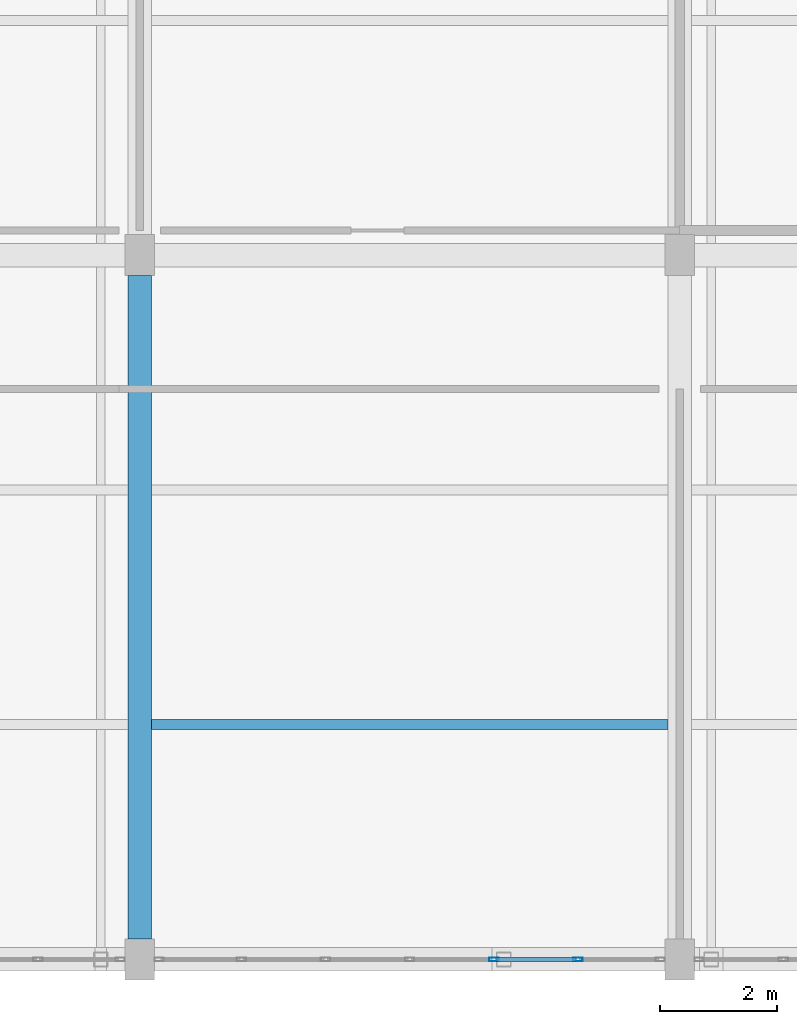
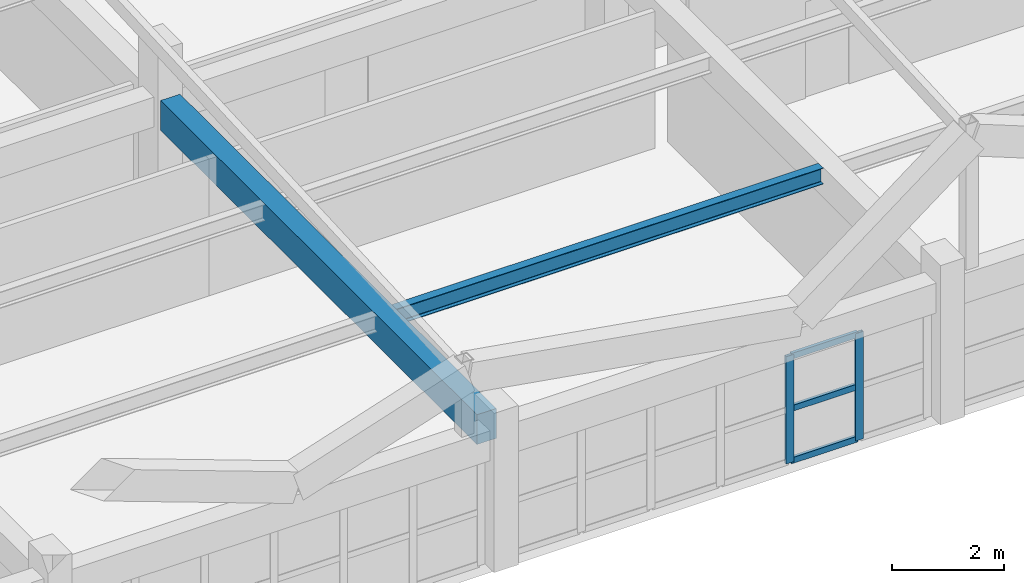
# One storey, part 19 of 127: 5 members, 2 beams, 1 element without a shape of its own.
"""IFC4 building model written with IfcOpenShell, lengths in metres."""

from ifc_helpers import new_model, si_unit, direction, frame, origin, origin_2d, place, context, subcontext, project, spatial, rectangle, hollow_rectangle, i_section, extrude, material, material_profile, profile_set, type_object, element, aggregate, save


model = new_model("IFC4")

# Units and contexts
model_context = context("Model", 3, precision=1e-05, world=origin(), true_north=direction((0.0, 1.0)))
body_context = subcontext(model_context, "Body", "Model", "MODEL_VIEW")
ifc_project = project(units=[si_unit("LENGTHUNIT", "METRE"), si_unit("AREAUNIT", "SQUARE_METRE"), si_unit("VOLUMEUNIT", "CUBIC_METRE"), si_unit("PLANEANGLEUNIT", "RADIAN"), si_unit("MASSUNIT", "GRAM", prefix="KILO")], contexts=[model_context])

# Site, building, storey
site_placement = place(None, origin())
site = spatial("IfcSite", under=ifc_project, at=site_placement, CompositionType="ELEMENT")
building_placement = place(site_placement, origin())
building = spatial("IfcBuilding", under=site, at=building_placement, Name="Kestramere Prow Commons", CompositionType="ELEMENT")
storey_placement = place(building_placement, frame((0.0, 0.0, 8.39990234375)))
storey = spatial("IfcBuildingStorey", under=building, at=storey_placement, Name="L02", CompositionType="ELEMENT", Elevation=8.39990234375)

# Beam
ifc_material_1 = material(Name="Precast concrete C40/50", Category="concrete")
ifc_material_profile_1 = material_profile(ifc_material_1, rectangle(XDim=0.39990234375, YDim=0.64990234375, at=origin_2d()), Name="PC-BM 400x650")
ifc_profile_set_1 = profile_set([ifc_material_profile_1], Name="Precast concrete C40/50")
beam_type_1 = type_object("IfcBeamType", Name="BM-MK-01 PC-BM 400x650", PredefinedType="BEAM", material=ifc_profile_set_1)
beam_1_placement = place(storey_placement, frame((85.0, 0.35009765625, 2.675048828125), z_axis=(0.0, 1.0, 0.0), x_axis=(-1.0, 0.0, 0.0)))
element("IfcBeam", 1, at=beam_1_placement, inside=storey, type_object=beam_type_1, Name="Market Spine L02 Beam Y 4-1", PredefinedType="BEAM", context=body_context, shape_type="SweptSolid", body=[
    extrude(rectangle(XDim=0.39990234375, YDim=0.64990234375, at=origin_2d()), origin(), (0.0, 0.0, 1.0), 11.2998046875),
])

# Curtain wall, members
ifc_material_2 = material(Name="Anodised Aluminium and Low-E Glass", Category="aluminium")
curtain_wall_type = type_object("IfcCurtainWallType", Name="CW-30 Glazed Curtain Wall 8600x2340", PredefinedType="USERDEFINED", material=ifc_material_2)
curtain_wall_placement = place(storey_placement, origin())
curtain_wall = element("IfcCurtainWall", 2, at=curtain_wall_placement, inside=storey, type_object=curtain_wall_type, Name="Market L02 South Shopfront 4", ObjectType="GLAZED CURTAIN WALL", PredefinedType="USERDEFINED")
ifc_material_3 = material(Name="Anodised Aluminium 6063-T6", Category="aluminium")
ifc_material_profile_2 = material_profile(ifc_material_3, hollow_rectangle(XDim=0.06494140625, YDim=0.159912109375, WallThickness=0.00390625, at=origin_2d()), Name="ALU-MUL 65x160")
ifc_profile_set_2 = profile_set([ifc_material_profile_2], Name="Anodised Aluminium 6063-T6")
member_type_1 = type_object("IfcMemberType", Name="CW-MUL-65x160", PredefinedType="MULLION", material=ifc_profile_set_2)
member_1_placement = place(storey_placement, frame((92.466552734375, 0.0, 0.0), z_axis=(0.0, 0.0, 1.0), x_axis=(0.0, -1.0, 0.0)))
member_1 = element("IfcMember", 3, at=member_1_placement, type_object=member_type_1, Name="CW-30 mullion 2", PredefinedType="MULLION", context=body_context, shape_type="SweptSolid", body=[
    extrude(hollow_rectangle(XDim=0.06494140625, YDim=0.159912109375, WallThickness=0.00390625, at=origin_2d()), origin(), (0.0, 0.0, 1.0), 2.340087890625),
])
member_2_placement = place(storey_placement, frame((91.033447265625, 0.0, 0.0), z_axis=(0.0, 0.0, 1.0), x_axis=(0.0, -1.0, 0.0)))
member_2 = element("IfcMember", 4, at=member_2_placement, type_object=member_type_1, Name="CW-30 mullion 3", PredefinedType="MULLION", context=body_context, shape_type="SweptSolid", body=[
    extrude(hollow_rectangle(XDim=0.06494140625, YDim=0.159912109375, WallThickness=0.00390625, at=origin_2d()), origin(), (0.0, 0.0, 1.0), 2.340087890625),
])
ifc_material_profile_3 = material_profile(ifc_material_3, hollow_rectangle(XDim=0.06494140625, YDim=0.1298828125, WallThickness=0.00390625, at=origin_2d()), Name="ALU-TRN 65x130")
ifc_profile_set_3 = profile_set([ifc_material_profile_3], Name="Anodised Aluminium 6063-T6")
member_type_2 = type_object("IfcMemberType", Name="CW-TRN-65x130", PredefinedType="USERDEFINED", material=ifc_profile_set_3)
member_3_placement = place(storey_placement, frame((92.43408203125, 0.0, 0.03271484375), z_axis=(-1.0, 0.0, 0.0), x_axis=(0.0, -1.0, 0.0)))
member_3 = element("IfcMember", 5, at=member_3_placement, type_object=member_type_2, Name="CW-30 transom 2.1", ObjectType="TRANSOM", PredefinedType="USERDEFINED", context=body_context, shape_type="SweptSolid", body=[
    extrude(hollow_rectangle(XDim=0.06494140625, YDim=0.1298828125, WallThickness=0.00390625, at=origin_2d()), origin(), (0.0, 0.0, 1.0), 1.3681640625),
])
member_4_placement = place(storey_placement, frame((92.43408203125, 0.0, 1.170166015625), z_axis=(-1.0, 0.0, 0.0), x_axis=(0.0, -1.0, 0.0)))
member_4 = element("IfcMember", 6, at=member_4_placement, type_object=member_type_2, Name="CW-30 transom 2.2", ObjectType="TRANSOM", PredefinedType="USERDEFINED", context=body_context, shape_type="SweptSolid", body=[
    extrude(hollow_rectangle(XDim=0.06494140625, YDim=0.1298828125, WallThickness=0.00390625, at=origin_2d()), origin(), (0.0, 0.0, 1.0), 1.3681640625),
])
member_5_placement = place(storey_placement, frame((92.43408203125, 0.0, 2.3076171875), z_axis=(-1.0, 0.0, 0.0), x_axis=(0.0, -1.0, 0.0)))
member_5 = element("IfcMember", 7, at=member_5_placement, type_object=member_type_2, Name="CW-30 transom 2.3", ObjectType="TRANSOM", PredefinedType="USERDEFINED", context=body_context, shape_type="SweptSolid", body=[
    extrude(hollow_rectangle(XDim=0.06494140625, YDim=0.1298828125, WallThickness=0.00390625, at=origin_2d()), origin(), (0.0, 0.0, 1.0), 1.3681640625),
])
aggregate(curtain_wall, [member_1, member_2, member_3, member_4, member_5])

# Beam
ifc_material_4 = material(Name="Steel S355JR", Category="steel")
ifc_material_profile_4 = material_profile(ifc_material_4, i_section(OverallWidth=0.17138671875, OverallDepth=0.35498046875, WebThickness=0.00732421875, FlangeThickness=0.011474609375, FilletRadius=0.01025390625, at=origin_2d()), Name="UB 356x171x51")
ifc_profile_set_4 = profile_set([ifc_material_profile_4], Name="Steel S355JR")
beam_type_2 = type_object("IfcBeamType", Name="JST-MK-01 UB 356x171x51", PredefinedType="JOIST", material=ifc_profile_set_4)
beam_2_placement = place(storey_placement, frame((85.199951171875, 4.0, 2.822509765625), z_axis=(1.0, 0.0, 0.0), x_axis=(0.0, 1.0, 0.0)))
element("IfcBeam", 8, at=beam_2_placement, inside=storey, type_object=beam_type_2, Name="Market Spine L02 Secondary Joist 4-4", PredefinedType="JOIST", context=body_context, shape_type="SweptSolid", body=[
    extrude(i_section(OverallWidth=0.17138671875, OverallDepth=0.35498046875, WebThickness=0.00732421875, FlangeThickness=0.011474609375, FilletRadius=0.01025390625, at=origin_2d()), origin(), (0.0, 0.0, 1.0), 8.800048828125),
])

save(model, "model.ifc")
